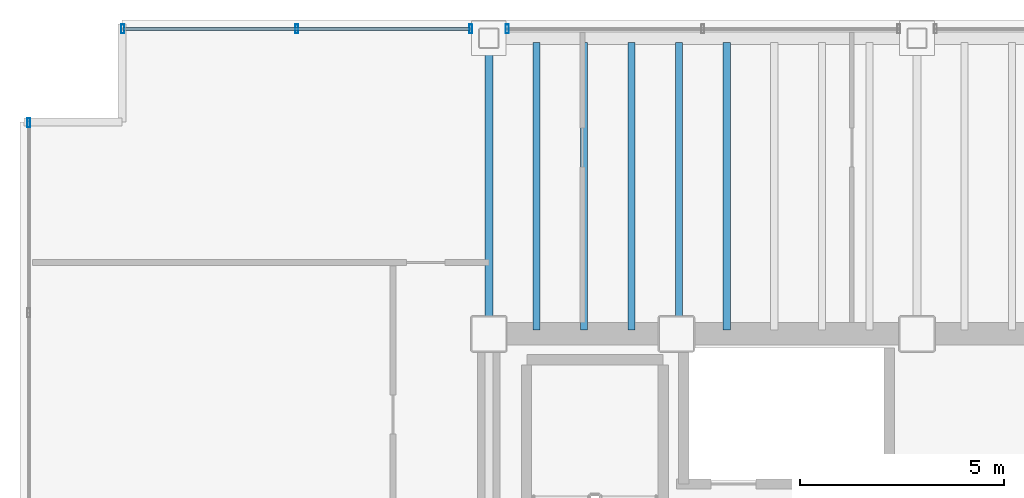
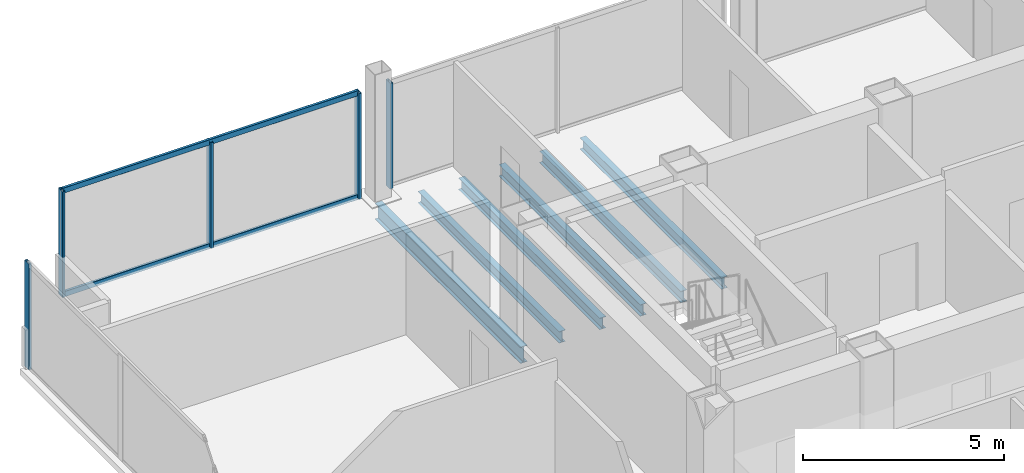
# One storey, part 8 of 19: 7 members, 6 beams, 3 elements without a shape of their own.
"""IFC4 building model written with IfcOpenShell, lengths in metres."""

from ifc_helpers import new_model, si_unit, direction, frame, origin, origin_2d, place, context, subcontext, project, spatial, hollow_rectangle, i_section, extrude, material, material_profile, profile_set, type_object, element, aggregate, save


model = new_model("IFC4")

# Units and contexts
model_context = context("Model", 3, precision=1e-05, world=origin(), true_north=direction((0.0, 1.0)))
body_context = subcontext(model_context, "Body", "Model", "MODEL_VIEW")
ifc_project = project(units=[si_unit("LENGTHUNIT", "METRE"), si_unit("AREAUNIT", "SQUARE_METRE"), si_unit("VOLUMEUNIT", "CUBIC_METRE"), si_unit("PLANEANGLEUNIT", "RADIAN"), si_unit("MASSUNIT", "GRAM", prefix="KILO")], contexts=[model_context])

# Site, building, storey
site_placement = place(None, origin())
site = spatial("IfcSite", under=ifc_project, at=site_placement, CompositionType="ELEMENT")
building_placement = place(site_placement, origin())
building = spatial("IfcBuilding", under=site, at=building_placement, Name="Noeulbin Bourse Tower", CompositionType="ELEMENT")
storey_placement = place(building_placement, frame((0.0, 0.0, 157.800048828125)))
storey = spatial("IfcBuildingStorey", under=building, at=storey_placement, Name="L39", CompositionType="ELEMENT", Elevation=157.800048828125)

# Beams
ifc_material_1 = material(Name="Steel S355", Category="steel")
ifc_material_profile_1 = material_profile(ifc_material_1, i_section(OverallWidth=0.199951171875, OverallDepth=0.5, WebThickness=0.010009765625, FlangeThickness=0.01611328125, FilletRadius=0.02001953125, at=origin_2d()), Name="H-500x200x10x16", Category="LoadBearing")
ifc_profile_set_1 = profile_set([ifc_material_profile_1], Name="Steel S355")
beam_type_1 = type_object("IfcBeamType", Name="BM-GRD-500", PredefinedType="USERDEFINED", material=ifc_profile_set_1)
beam_placement = place(storey_placement, frame((13.5, 38.300048828125, -0.429931640625), z_axis=(0.0, 1.0, 0.0), x_axis=(-1.0, 0.0, 0.0)))
element("IfcBeam", 1, at=beam_placement, inside=storey, type_object=beam_type_1, Name="Tower Primary Girder NS L39-1.4", ObjectType="GIRDER", PredefinedType="USERDEFINED", context=body_context, shape_type="SweptSolid", body=[
    extrude(i_section(OverallWidth=0.199951171875, OverallDepth=0.5, WebThickness=0.010009765625, FlangeThickness=0.01611328125, FilletRadius=0.02001953125, at=origin_2d()), origin(), (0.0, 0.0, 1.0), 7.25),
])
ifc_material_profile_2 = material_profile(ifc_material_1, i_section(OverallWidth=0.175048828125, OverallDepth=0.35009765625, WebThickness=0.007080078125, FlangeThickness=0.010986328125, FilletRadius=0.013916015625, at=origin_2d()), Name="H-350x175x7x11", Category="LoadBearing")
ifc_profile_set_2 = profile_set([ifc_material_profile_2], Name="Steel S355")
beam_type_2 = type_object("IfcBeamType", Name="BM-JST-350", PredefinedType="JOIST", material=ifc_profile_set_2)
for number, where, z_axis, x_axis, name in (
    (2, (14.666748046875, 38.39990234375, -0.35498046875), (0.0, 1.0, 0.0), (-1.0, 0.0, 0.0), "Tower Composite Joist L39-03"),
    (3, (15.833251953125, 38.39990234375, -0.35498046875), (0.0, 1.0, 0.0), (-1.0, 0.0, 0.0), "Tower Composite Joist L39-06"),
    (4, (17.0, 38.39990234375, -0.35498046875), (0.0, 1.0, 0.0), (-1.0, 0.0, 0.0), "Tower Composite Joist L39-09"),
    (5, (18.166748046875, 38.39990234375, -0.35498046875), (0.0, 1.0, 0.0), (-1.0, 0.0, 0.0), "Tower Composite Joist L39-12"),
    (6, (19.333251953125, 38.39990234375, -0.35498046875), (0.0, 1.0, 0.0), (-1.0, 0.0, 0.0), "Tower Composite Joist L39-15"),
):
    element("IfcBeam", number, at=place(storey_placement, frame(where, z_axis=z_axis, x_axis=x_axis)), inside=storey, type_object=beam_type_2, Name=name, PredefinedType="JOIST", context=body_context, shape_type="SweptSolid", body=[
        extrude(i_section(OverallWidth=0.175048828125, OverallDepth=0.35009765625, WebThickness=0.007080078125, FlangeThickness=0.010986328125, FilletRadius=0.013916015625, at=origin_2d()), origin(), (0.0, 0.0, 1.0), 7.050048828125),
    ])

# Curtain wall, members
ifc_material_2 = material(Name="Dark Tinted Triple Glazing", Category="glass")
curtain_wall_type = type_object("IfcCurtainWallType", Name="CW-SYS-3", PredefinedType="NOTDEFINED", material=ifc_material_2)
curtain_wall_1_placement = place(storey_placement, origin())
curtain_wall_1 = element("IfcCurtainWall", 7, at=curtain_wall_1_placement, inside=storey, type_object=curtain_wall_type, Name="Unitised Curtain Wall CW-L39-N-S1", PredefinedType="NOTDEFINED")
ifc_material_3 = material(Name="Anodised Aluminium 6063-T6", Category="aluminium")
ifc_material_profile_3 = material_profile(ifc_material_3, hollow_rectangle(XDim=0.074951171875, YDim=0.219970703125, WallThickness=0.0048828125, InnerFilletRadius=0.00244140625, OuterFilletRadius=0.0048828125, at=origin_2d()), Name="ALU-MULL-75x220x5", Category="LoadBearing")
ifc_profile_set_3 = profile_set([ifc_material_profile_3], Name="Anodised Aluminium 6063-T6")
member_type_1 = type_object("IfcMemberType", Name="CW-SYS-3-MUL", PredefinedType="MULLION", material=ifc_profile_set_3)
member_1_placement = place(storey_placement, frame((4.52001953125, 45.780029296875, -0.02001953125), z_axis=(0.0, 0.0, 1.0), x_axis=(1.0, 0.0, 0.0)))
member_1 = element("IfcMember", 8, at=member_1_placement, type_object=member_type_1, Name="Curtain Wall Mullion CW-L39-N-S1-M00", PredefinedType="MULLION", context=body_context, shape_type="SweptSolid", body=[
    extrude(hollow_rectangle(XDim=0.074951171875, YDim=0.219970703125, WallThickness=0.0048828125, InnerFilletRadius=0.00244140625, OuterFilletRadius=0.0048828125, at=origin_2d()), origin(), (0.0, 0.0, 1.0), 3.219970703125),
])
member_2_placement = place(storey_placement, frame((8.784912109375, 45.780029296875, -0.02001953125), z_axis=(0.0, 0.0, 1.0), x_axis=(1.0, 0.0, 0.0)))
member_2 = element("IfcMember", 9, at=member_2_placement, type_object=member_type_1, Name="Curtain Wall Mullion CW-L39-N-S1-M01", PredefinedType="MULLION", context=body_context, shape_type="SweptSolid", body=[
    extrude(hollow_rectangle(XDim=0.074951171875, YDim=0.219970703125, WallThickness=0.0048828125, InnerFilletRadius=0.00244140625, OuterFilletRadius=0.0048828125, at=origin_2d()), origin(), (0.0, 0.0, 1.0), 3.219970703125),
])
member_3_placement = place(storey_placement, frame((13.050048828125, 45.780029296875, -0.02001953125), z_axis=(0.0, 0.0, 1.0), x_axis=(1.0, 0.0, 0.0)))
member_3 = element("IfcMember", 10, at=member_3_placement, type_object=member_type_1, Name="Curtain Wall Mullion CW-L39-N-S1-M02", PredefinedType="MULLION", context=body_context, shape_type="SweptSolid", body=[
    extrude(hollow_rectangle(XDim=0.074951171875, YDim=0.219970703125, WallThickness=0.0048828125, InnerFilletRadius=0.00244140625, OuterFilletRadius=0.0048828125, at=origin_2d()), origin(), (0.0, 0.0, 1.0), 3.219970703125),
])

# Curtain wall, member
curtain_wall_2_placement = place(storey_placement, origin())
curtain_wall_2 = element("IfcCurtainWall", 11, at=curtain_wall_2_placement, inside=storey, type_object=curtain_wall_type, Name="Unitised Curtain Wall CW-L39-N-S2", PredefinedType="NOTDEFINED")
member_4_placement = place(storey_placement, frame((13.949951171875, 45.780029296875, -0.02001953125), z_axis=(0.0, 0.0, 1.0), x_axis=(1.0, 0.0, 0.0)))
member_4 = element("IfcMember", 12, at=member_4_placement, type_object=member_type_1, Name="Curtain Wall Mullion CW-L39-N-S2-M00", PredefinedType="MULLION", context=body_context, shape_type="SweptSolid", body=[
    extrude(hollow_rectangle(XDim=0.074951171875, YDim=0.219970703125, WallThickness=0.0048828125, InnerFilletRadius=0.00244140625, OuterFilletRadius=0.0048828125, at=origin_2d()), origin(), (0.0, 0.0, 1.0), 3.219970703125),
])
aggregate(curtain_wall_2, [member_4])

curtain_wall_3_placement = place(storey_placement, origin())
curtain_wall_3 = element("IfcCurtainWall", 13, at=curtain_wall_3_placement, inside=storey, type_object=curtain_wall_type, Name="Unitised Curtain Wall CW-L39-W-S2", PredefinedType="NOTDEFINED")
member_5_placement = place(storey_placement, frame((2.219970703125, 43.47998046875, -0.02001953125), z_axis=(0.0, 0.0, 1.0), x_axis=(1.0, 0.0, 0.0)))
member_5 = element("IfcMember", 14, at=member_5_placement, type_object=member_type_1, Name="Curtain Wall Mullion CW-L39-W-S2-M03", PredefinedType="MULLION", context=body_context, shape_type="SweptSolid", body=[
    extrude(hollow_rectangle(XDim=0.074951171875, YDim=0.219970703125, WallThickness=0.0048828125, InnerFilletRadius=0.00244140625, OuterFilletRadius=0.0048828125, at=origin_2d()), origin(), (0.0, 0.0, 1.0), 3.219970703125),
])
aggregate(curtain_wall_3, [member_5])

# Member
ifc_material_profile_4 = material_profile(ifc_material_3, hollow_rectangle(XDim=0.074951171875, YDim=0.159912109375, WallThickness=0.0048828125, InnerFilletRadius=0.00244140625, OuterFilletRadius=0.0048828125, at=origin_2d()), Name="ALU-TRAN-75x160x5", Category="LoadBearing")
ifc_profile_set_4 = profile_set([ifc_material_profile_4], Name="Anodised Aluminium 6063-T6")
member_type_2 = type_object("IfcMemberType", Name="CW-SYS-3-TRN", PredefinedType="USERDEFINED", material=ifc_profile_set_4)
member_6_placement = place(storey_placement, frame((4.530029296875, 45.780029296875, 0.010009765625), z_axis=(1.0, 0.0, 0.0), x_axis=(0.0, 1.0, 0.0)))
member_6 = element("IfcMember", 15, at=member_6_placement, type_object=member_type_2, Name="Curtain Wall Transom CW-L39-N-S1-T00", ObjectType="TRANSOM", PredefinedType="USERDEFINED", context=body_context, shape_type="SweptSolid", body=[
    extrude(hollow_rectangle(XDim=0.074951171875, YDim=0.159912109375, WallThickness=0.0048828125, InnerFilletRadius=0.00244140625, OuterFilletRadius=0.0048828125, at=origin_2d()), origin(), (0.0, 0.0, 1.0), 8.510009765625),
])

member_7_placement = place(storey_placement, frame((4.530029296875, 45.780029296875, 3.169921875), z_axis=(1.0, 0.0, 0.0), x_axis=(0.0, 1.0, 0.0)))
member_7 = element("IfcMember", 16, at=member_7_placement, type_object=member_type_2, Name="Curtain Wall Transom CW-L39-N-S1-T01", ObjectType="TRANSOM", PredefinedType="USERDEFINED", context=body_context, shape_type="SweptSolid", body=[
    extrude(hollow_rectangle(XDim=0.074951171875, YDim=0.159912109375, WallThickness=0.0048828125, InnerFilletRadius=0.00244140625, OuterFilletRadius=0.0048828125, at=origin_2d()), origin(), (0.0, 0.0, 1.0), 8.510009765625),
])

aggregate(curtain_wall_1, [member_1, member_2, member_3, member_6, member_7])

save(model, "model.ifc")
